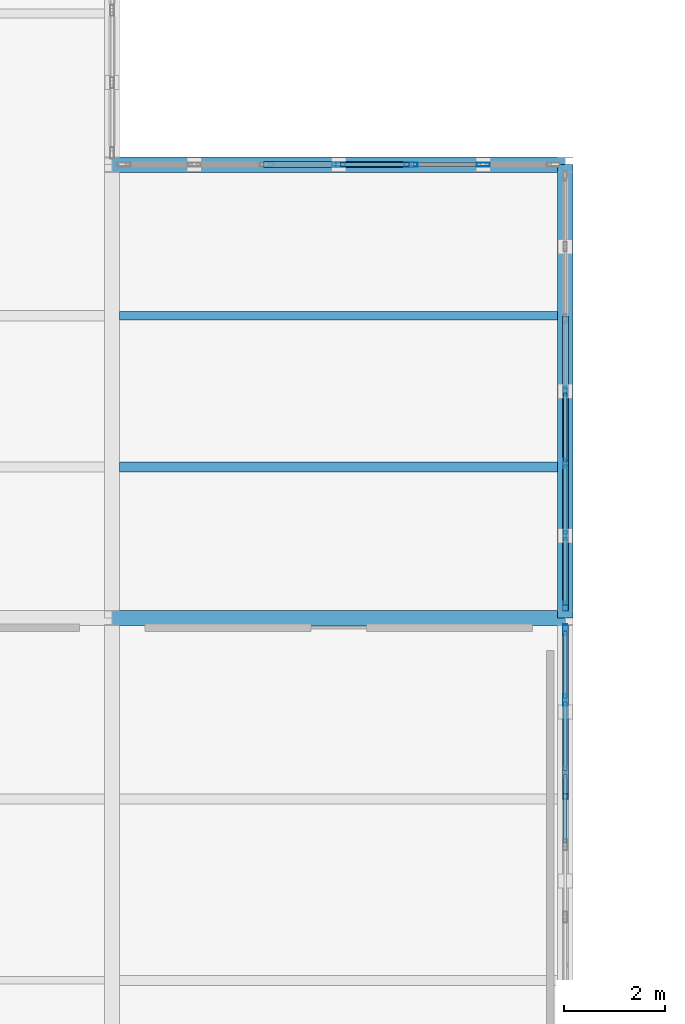
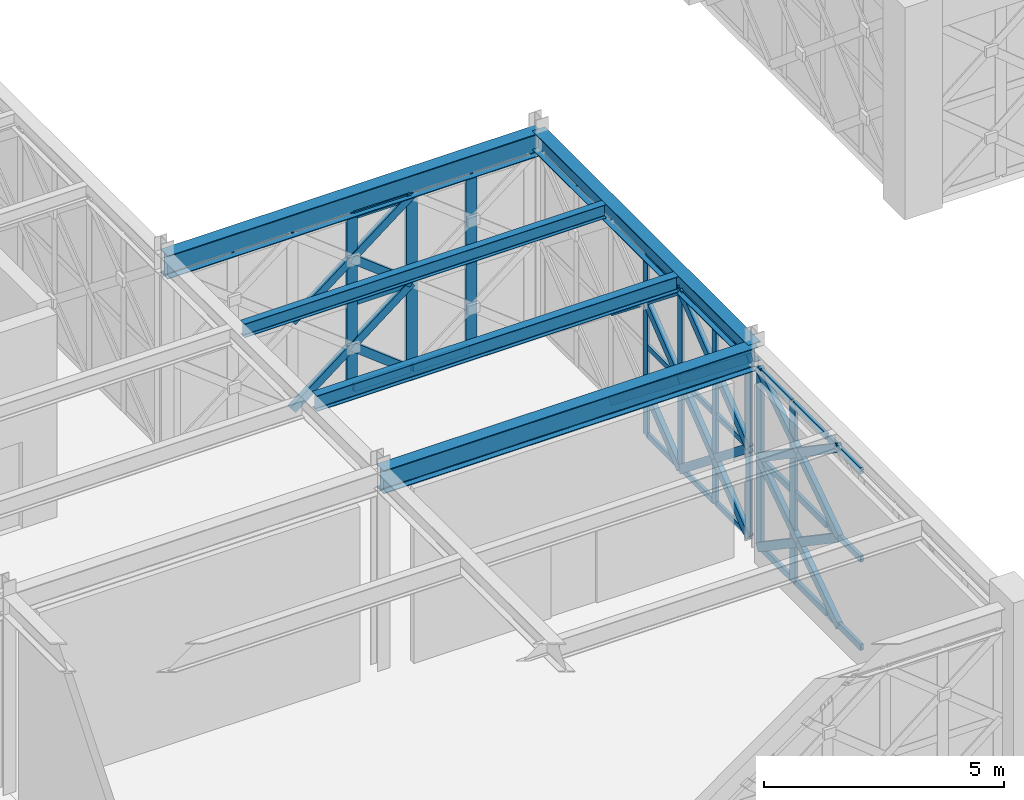
# One storey, part 47 of 155: 51 members, 5 beams, 3 elements without a shape of their own.
"""IFC4 building model written with IfcOpenShell, lengths in metres."""

from ifc_helpers import new_model, si_unit, direction, frame, origin, origin_2d, place, context, subcontext, project, spatial, hollow_rectangle, i_section, extrude, material, material_profile, profile_set, type_object, element, aggregate, save


model = new_model("IFC4")

# Units and contexts
model_context = context("Model", 3, precision=1e-05, world=origin(), true_north=direction((0.0, 1.0)))
body_context = subcontext(model_context, "Body", "Model", "MODEL_VIEW")
ifc_project = project(units=[si_unit("LENGTHUNIT", "METRE"), si_unit("AREAUNIT", "SQUARE_METRE"), si_unit("VOLUMEUNIT", "CUBIC_METRE"), si_unit("PLANEANGLEUNIT", "RADIAN"), si_unit("MASSUNIT", "GRAM", prefix="KILO")], contexts=[model_context])

# Site, building, storey
site_placement = place(None, origin())
site = spatial("IfcSite", under=ifc_project, at=site_placement, CompositionType="ELEMENT")
building_placement = place(site_placement, origin())
building = spatial("IfcBuilding", under=site, at=building_placement, Name="Haizhuo Lancet Aquarium", CompositionType="ELEMENT")
storey_placement = place(building_placement, frame((0.0, 0.0, 10.800048828125)))
storey = spatial("IfcBuildingStorey", under=building, at=storey_placement, Name="L02", CompositionType="ELEMENT", Elevation=10.800048828125)

# Beams
ifc_material_1 = material(Name="Steel S355", Category="steel")
ifc_material_profile_1 = material_profile(ifc_material_1, i_section(OverallWidth=0.300048828125, OverallDepth=0.488037109375, WebThickness=0.010986328125, FlangeThickness=0.01806640625, FilletRadius=0.02392578125, at=origin_2d()), Name="HM 488x300x11x18")
ifc_profile_set_1 = profile_set([ifc_material_profile_1], Name="Steel S355")
beam_type_1 = type_object("IfcBeamType", Name="BM-ST-HM488", PredefinedType="BEAM", material=ifc_profile_set_1)
beam_1_placement = place(storey_placement, frame((18.0, -45.0, 4.805908203125), z_axis=(0.0, 1.0, 0.0), x_axis=(-1.0, 0.0, 0.0)))
element("IfcBeam", 1, at=beam_1_placement, inside=storey, type_object=beam_type_1, Name="L02 V4 primary girder BM-L02-V4-027", PredefinedType="BEAM", context=body_context, shape_type="SweptSolid", body=[
    extrude(i_section(OverallWidth=0.300048828125, OverallDepth=0.488037109375, WebThickness=0.010986328125, FlangeThickness=0.01806640625, FilletRadius=0.02392578125, at=origin_2d()), origin(), (0.0, 0.0, 1.0), 9.0),
])
ifc_material_profile_2 = material_profile(ifc_material_1, i_section(OverallWidth=0.300048828125, OverallDepth=0.587890625, WebThickness=0.011962890625, FlangeThickness=0.02001953125, FilletRadius=0.02587890625, at=origin_2d()), Name="HM 588x300x12x20")
ifc_profile_set_2 = profile_set([ifc_material_profile_2], Name="Steel S355")
beam_type_2 = type_object("IfcBeamType", Name="BM-ST-HM588", PredefinedType="BEAM", material=ifc_profile_set_2)
for number, where, z_axis, x_axis, name in (
    (2, (9.0, -45.0, 4.755859375), (1.0, 0.0, 0.0), (0.0, 1.0, 0.0), "L02 V4 primary girder BM-L02-V4-023"),
    (3, (9.0, -36.0, 4.755859375), (1.0, 0.0, 0.0), (0.0, 1.0, 0.0), "L02 V4 primary girder BM-L02-V4-025"),
):
    element("IfcBeam", number, at=place(storey_placement, frame(where, z_axis=z_axis, x_axis=x_axis)), inside=storey, type_object=beam_type_2, Name=name, PredefinedType="BEAM", context=body_context, shape_type="SweptSolid", body=[
        extrude(i_section(OverallWidth=0.300048828125, OverallDepth=0.587890625, WebThickness=0.011962890625, FlangeThickness=0.02001953125, FilletRadius=0.02587890625, at=origin_2d()), origin(), (0.0, 0.0, 1.0), 9.0),
    ])

# Curtain wall, members
ifc_material_2 = material(Name="Aluminium 6063-T6", Category="aluminium")
curtain_wall_type_1 = type_object("IfcCurtainWallType", Name="CWO-8610x4560", PredefinedType="NOTDEFINED", material=ifc_material_2)
curtain_wall_1_placement = place(storey_placement, origin())
curtain_wall_1 = element("IfcCurtainWall", 4, at=curtain_wall_1_placement, inside=storey, type_object=curtain_wall_type_1, Name="L02 curtain wall CW-V4-L02-106", PredefinedType="NOTDEFINED")
ifc_material_profile_3 = material_profile(ifc_material_2, hollow_rectangle(XDim=0.06494140625, YDim=0.179931640625, WallThickness=0.00390625, at=origin_2d()), Name="ALU-M 65x180x4")
ifc_profile_set_3 = profile_set([ifc_material_profile_3], Name="Aluminium 6063-T6")
member_type_1 = type_object("IfcMemberType", Name="CW-MUL-1", PredefinedType="MULLION", material=ifc_profile_set_3)
member_1_placement = place(storey_placement, frame((18.0, -40.5, 0.0), z_axis=(0.0, 0.0, 1.0), x_axis=(1.0, 0.0, 0.0)))
member_1 = element("IfcMember", 5, at=member_1_placement, type_object=member_type_1, Name="CWO-86x45 mullion 4", PredefinedType="MULLION", context=body_context, shape_type="SweptSolid", body=[
    extrude(hollow_rectangle(XDim=0.06494140625, YDim=0.179931640625, WallThickness=0.00390625, at=origin_2d()), origin(), (0.0, 0.0, 1.0), 4.56201171875),
])
member_2_placement = place(storey_placement, frame((18.0, -41.93505859375, 0.0), z_axis=(0.0, 0.0, 1.0), x_axis=(1.0, 0.0, 0.0)))
member_2 = element("IfcMember", 6, at=member_2_placement, type_object=member_type_1, Name="CWO-86x45 mullion 5", PredefinedType="MULLION", context=body_context, shape_type="SweptSolid", body=[
    extrude(hollow_rectangle(XDim=0.06494140625, YDim=0.179931640625, WallThickness=0.00390625, at=origin_2d()), origin(), (0.0, 0.0, 1.0), 4.56201171875),
])
member_3_placement = place(storey_placement, frame((18.0, -43.3701171875, 0.0), z_axis=(0.0, 0.0, 1.0), x_axis=(1.0, 0.0, 0.0)))
member_3 = element("IfcMember", 7, at=member_3_placement, type_object=member_type_1, Name="CWO-86x45 mullion 6", PredefinedType="MULLION", context=body_context, shape_type="SweptSolid", body=[
    extrude(hollow_rectangle(XDim=0.06494140625, YDim=0.179931640625, WallThickness=0.00390625, at=origin_2d()), origin(), (0.0, 0.0, 1.0), 4.56201171875),
])
member_4_placement = place(storey_placement, frame((18.0, -44.77294921875, 0.0), z_axis=(0.0, 0.0, 1.0), x_axis=(1.0, 0.0, 0.0)))
member_4 = element("IfcMember", 8, at=member_4_placement, type_object=member_type_1, Name="CWO-86x45 mullion 7", PredefinedType="MULLION", context=body_context, shape_type="SweptSolid", body=[
    extrude(hollow_rectangle(XDim=0.06494140625, YDim=0.179931640625, WallThickness=0.00390625, at=origin_2d()), origin(), (0.0, 0.0, 1.0), 4.56201171875),
])

curtain_wall_type_2 = type_object("IfcCurtainWallType", Name="CWO-10060x4560", PredefinedType="NOTDEFINED", material=ifc_material_2)
curtain_wall_2_placement = place(storey_placement, origin())
curtain_wall_2 = element("IfcCurtainWall", 9, at=curtain_wall_2_placement, inside=storey, type_object=curtain_wall_type_2, Name="L02 curtain wall CW-V4-L02-107", PredefinedType="NOTDEFINED")
ifc_material_profile_4 = material_profile(ifc_material_2, hollow_rectangle(XDim=0.074951171875, YDim=0.219970703125, WallThickness=0.0048828125, at=origin_2d()), Name="ALU-M 75x220x5")
ifc_profile_set_4 = profile_set([ifc_material_profile_4], Name="Aluminium 6063-T6")
member_type_2 = type_object("IfcMemberType", Name="CW-MUL-2", PredefinedType="MULLION", material=ifc_profile_set_4)
member_5_placement = place(storey_placement, frame((18.0, -45.23291015625, 0.0), z_axis=(0.0, 0.0, 1.0), x_axis=(1.0, 0.0, 0.0)))
member_5 = element("IfcMember", 10, at=member_5_placement, type_object=member_type_2, Name="CWO-100x45 mullion 1", PredefinedType="MULLION", context=body_context, shape_type="SweptSolid", body=[
    extrude(hollow_rectangle(XDim=0.074951171875, YDim=0.219970703125, WallThickness=0.0048828125, at=origin_2d()), origin(), (0.0, 0.0, 1.0), 4.56201171875),
])
member_6_placement = place(storey_placement, frame((18.0, -46.632080078125, 0.0), z_axis=(0.0, 0.0, 1.0), x_axis=(1.0, 0.0, 0.0)))
member_6 = element("IfcMember", 11, at=member_6_placement, type_object=member_type_2, Name="CWO-100x45 mullion 2", PredefinedType="MULLION", context=body_context, shape_type="SweptSolid", body=[
    extrude(hollow_rectangle(XDim=0.074951171875, YDim=0.219970703125, WallThickness=0.0048828125, at=origin_2d()), origin(), (0.0, 0.0, 1.0), 4.56201171875),
])

curtain_wall_type_3 = type_object("IfcCurtainWallType", Name="CWO-8610x4460", PredefinedType="NOTDEFINED", material=ifc_material_2)
curtain_wall_3_placement = place(storey_placement, origin())
curtain_wall_3 = element("IfcCurtainWall", 12, at=curtain_wall_3_placement, inside=storey, type_object=curtain_wall_type_3, Name="L02 curtain wall CW-V4-L02-105", PredefinedType="NOTDEFINED")
ifc_material_profile_5 = material_profile(ifc_material_2, hollow_rectangle(XDim=0.080078125, YDim=0.260009765625, WallThickness=0.0048828125, at=origin_2d()), Name="ALU-M 80x260x5")
ifc_profile_set_5 = profile_set([ifc_material_profile_5], Name="Aluminium 6063-T6")
member_type_3 = type_object("IfcMemberType", Name="CW-MUL-3", PredefinedType="MULLION", material=ifc_profile_set_5)
member_7_placement = place(storey_placement, frame((13.5, -36.0, 0.0), z_axis=(0.0, 0.0, 1.0), x_axis=(0.0, 1.0, 0.0)))
member_7 = element("IfcMember", 13, at=member_7_placement, type_object=member_type_3, Name="CWO-86x44 mullion 4", PredefinedType="MULLION", context=body_context, shape_type="SweptSolid", body=[
    extrude(hollow_rectangle(XDim=0.080078125, YDim=0.260009765625, WallThickness=0.0048828125, at=origin_2d()), origin(), (0.0, 0.0, 1.0), 4.4619140625),
])
member_8_placement = place(storey_placement, frame((14.93505859375, -36.0, 0.0), z_axis=(0.0, 0.0, 1.0), x_axis=(0.0, 1.0, 0.0)))
member_8 = element("IfcMember", 14, at=member_8_placement, type_object=member_type_3, Name="CWO-86x44 mullion 5", PredefinedType="MULLION", context=body_context, shape_type="SweptSolid", body=[
    extrude(hollow_rectangle(XDim=0.080078125, YDim=0.260009765625, WallThickness=0.0048828125, at=origin_2d()), origin(), (0.0, 0.0, 1.0), 4.4619140625),
])
member_9_placement = place(storey_placement, frame((16.3701171875, -36.0, 0.0), z_axis=(0.0, 0.0, 1.0), x_axis=(0.0, 1.0, 0.0)))
member_9 = element("IfcMember", 15, at=member_9_placement, type_object=member_type_3, Name="CWO-86x44 mullion 6", PredefinedType="MULLION", context=body_context, shape_type="SweptSolid", body=[
    extrude(hollow_rectangle(XDim=0.080078125, YDim=0.260009765625, WallThickness=0.0048828125, at=origin_2d()), origin(), (0.0, 0.0, 1.0), 4.4619140625),
])

# Member
ifc_material_profile_6 = material_profile(ifc_material_2, hollow_rectangle(XDim=0.06494140625, YDim=0.139892578125, WallThickness=0.00390625, at=origin_2d()), Name="ALU-T 65x140x4")
ifc_profile_set_6 = profile_set([ifc_material_profile_6], Name="Aluminium 6063-T6")
member_type_4 = type_object("IfcMemberType", Name="CW-TRN-1", PredefinedType="NOTDEFINED", material=ifc_profile_set_6)
member_10_placement = place(storey_placement, frame((18.0, -40.531982421875, 0.032958984375), z_axis=(0.0, -1.0, 0.0), x_axis=(1.0, 0.0, 0.0)))
member_10 = element("IfcMember", 16, at=member_10_placement, type_object=member_type_4, Name="CWO-86x45 transom 4.1", ObjectType="TRANSOM", PredefinedType="USERDEFINED", context=body_context, shape_type="SweptSolid", body=[
    extrude(hollow_rectangle(XDim=0.06494140625, YDim=0.139892578125, WallThickness=0.00390625, at=origin_2d()), origin(), (0.0, 0.0, 1.0), 1.37109375),
])

member_11_placement = place(storey_placement, frame((18.0, -40.531982421875, 2.281005859375), z_axis=(0.0, -1.0, 0.0), x_axis=(1.0, 0.0, 0.0)))
member_11 = element("IfcMember", 17, at=member_11_placement, type_object=member_type_4, Name="CWO-86x45 transom 4.2", ObjectType="TRANSOM", PredefinedType="USERDEFINED", context=body_context, shape_type="SweptSolid", body=[
    extrude(hollow_rectangle(XDim=0.06494140625, YDim=0.139892578125, WallThickness=0.00390625, at=origin_2d()), origin(), (0.0, 0.0, 1.0), 1.37109375),
])

member_12_placement = place(storey_placement, frame((18.0, -40.531982421875, 4.529052734375), z_axis=(0.0, -1.0, 0.0), x_axis=(1.0, 0.0, 0.0)))
member_12 = element("IfcMember", 18, at=member_12_placement, type_object=member_type_4, Name="CWO-86x45 transom 4.3", ObjectType="TRANSOM", PredefinedType="USERDEFINED", context=body_context, shape_type="SweptSolid", body=[
    extrude(hollow_rectangle(XDim=0.06494140625, YDim=0.139892578125, WallThickness=0.00390625, at=origin_2d()), origin(), (0.0, 0.0, 1.0), 1.37109375),
])

member_13_placement = place(storey_placement, frame((18.0, -41.968017578125, 0.032958984375), z_axis=(0.0, -1.0, 0.0), x_axis=(1.0, 0.0, 0.0)))
member_13 = element("IfcMember", 19, at=member_13_placement, type_object=member_type_4, Name="CWO-86x45 transom 5.1", ObjectType="TRANSOM", PredefinedType="USERDEFINED", context=body_context, shape_type="SweptSolid", body=[
    extrude(hollow_rectangle(XDim=0.06494140625, YDim=0.139892578125, WallThickness=0.00390625, at=origin_2d()), origin(), (0.0, 0.0, 1.0), 1.368896484375),
])

member_14_placement = place(storey_placement, frame((18.0, -41.968017578125, 2.281005859375), z_axis=(0.0, -1.0, 0.0), x_axis=(1.0, 0.0, 0.0)))
member_14 = element("IfcMember", 20, at=member_14_placement, type_object=member_type_4, Name="CWO-86x45 transom 5.2", ObjectType="TRANSOM", PredefinedType="USERDEFINED", context=body_context, shape_type="SweptSolid", body=[
    extrude(hollow_rectangle(XDim=0.06494140625, YDim=0.139892578125, WallThickness=0.00390625, at=origin_2d()), origin(), (0.0, 0.0, 1.0), 1.368896484375),
])

member_15_placement = place(storey_placement, frame((18.0, -41.968017578125, 4.529052734375), z_axis=(0.0, -1.0, 0.0), x_axis=(1.0, 0.0, 0.0)))
member_15 = element("IfcMember", 21, at=member_15_placement, type_object=member_type_4, Name="CWO-86x45 transom 5.3", ObjectType="TRANSOM", PredefinedType="USERDEFINED", context=body_context, shape_type="SweptSolid", body=[
    extrude(hollow_rectangle(XDim=0.06494140625, YDim=0.139892578125, WallThickness=0.00390625, at=origin_2d()), origin(), (0.0, 0.0, 1.0), 1.368896484375),
])

member_16_placement = place(storey_placement, frame((18.0, -43.402099609375, 0.032958984375), z_axis=(0.0, -1.0, 0.0), x_axis=(1.0, 0.0, 0.0)))
member_16 = element("IfcMember", 22, at=member_16_placement, type_object=member_type_4, Name="CWO-86x45 transom 6.1", ObjectType="TRANSOM", PredefinedType="USERDEFINED", context=body_context, shape_type="SweptSolid", body=[
    extrude(hollow_rectangle(XDim=0.06494140625, YDim=0.139892578125, WallThickness=0.00390625, at=origin_2d()), origin(), (0.0, 0.0, 1.0), 1.337890625),
])

member_17_placement = place(storey_placement, frame((18.0, -43.402099609375, 2.281005859375), z_axis=(0.0, -1.0, 0.0), x_axis=(1.0, 0.0, 0.0)))
member_17 = element("IfcMember", 23, at=member_17_placement, type_object=member_type_4, Name="CWO-86x45 transom 6.2", ObjectType="TRANSOM", PredefinedType="USERDEFINED", context=body_context, shape_type="SweptSolid", body=[
    extrude(hollow_rectangle(XDim=0.06494140625, YDim=0.139892578125, WallThickness=0.00390625, at=origin_2d()), origin(), (0.0, 0.0, 1.0), 1.337890625),
])

member_18_placement = place(storey_placement, frame((18.0, -43.402099609375, 4.529052734375), z_axis=(0.0, -1.0, 0.0), x_axis=(1.0, 0.0, 0.0)))
member_18 = element("IfcMember", 24, at=member_18_placement, type_object=member_type_4, Name="CWO-86x45 transom 6.3", ObjectType="TRANSOM", PredefinedType="USERDEFINED", context=body_context, shape_type="SweptSolid", body=[
    extrude(hollow_rectangle(XDim=0.06494140625, YDim=0.139892578125, WallThickness=0.00390625, at=origin_2d()), origin(), (0.0, 0.0, 1.0), 1.337890625),
])

aggregate(curtain_wall_1, [member_1, member_2, member_3, member_4, member_10, member_11, member_12, member_13, member_14, member_15, member_16, member_17, member_18])

ifc_material_profile_7 = material_profile(ifc_material_2, hollow_rectangle(XDim=0.074951171875, YDim=0.159912109375, WallThickness=0.00390625, at=origin_2d()), Name="ALU-T 75x160x4")
ifc_profile_set_7 = profile_set([ifc_material_profile_7], Name="Aluminium 6063-T6")
member_type_5 = type_object("IfcMemberType", Name="CW-TRN-2", PredefinedType="NOTDEFINED", material=ifc_profile_set_7)
member_19_placement = place(storey_placement, frame((18.0, -45.27001953125, 0.037841796875), z_axis=(0.0, -1.0, 0.0), x_axis=(1.0, 0.0, 0.0)))
member_19 = element("IfcMember", 25, at=member_19_placement, type_object=member_type_5, Name="CWO-100x45 transom 1.1", ObjectType="TRANSOM", PredefinedType="USERDEFINED", context=body_context, shape_type="SweptSolid", body=[
    extrude(hollow_rectangle(XDim=0.074951171875, YDim=0.159912109375, WallThickness=0.00390625, at=origin_2d()), origin(), (0.0, 0.0, 1.0), 1.324951171875),
])

member_20_placement = place(storey_placement, frame((18.0, -45.27001953125, 2.281005859375), z_axis=(0.0, -1.0, 0.0), x_axis=(1.0, 0.0, 0.0)))
member_20 = element("IfcMember", 26, at=member_20_placement, type_object=member_type_5, Name="CWO-100x45 transom 1.2", ObjectType="TRANSOM", PredefinedType="USERDEFINED", context=body_context, shape_type="SweptSolid", body=[
    extrude(hollow_rectangle(XDim=0.074951171875, YDim=0.159912109375, WallThickness=0.00390625, at=origin_2d()), origin(), (0.0, 0.0, 1.0), 1.324951171875),
])

member_21_placement = place(storey_placement, frame((18.0, -45.27001953125, 4.52490234375), z_axis=(0.0, -1.0, 0.0), x_axis=(1.0, 0.0, 0.0)))
member_21 = element("IfcMember", 27, at=member_21_placement, type_object=member_type_5, Name="CWO-100x45 transom 1.3", ObjectType="TRANSOM", PredefinedType="USERDEFINED", context=body_context, shape_type="SweptSolid", body=[
    extrude(hollow_rectangle(XDim=0.074951171875, YDim=0.159912109375, WallThickness=0.00390625, at=origin_2d()), origin(), (0.0, 0.0, 1.0), 1.324951171875),
])

member_22_placement = place(storey_placement, frame((18.0, -46.669921875, 0.037841796875), z_axis=(0.0, -1.0, 0.0), x_axis=(1.0, 0.0, 0.0)))
member_22 = element("IfcMember", 28, at=member_22_placement, type_object=member_type_5, Name="CWO-100x45 transom 2.1", ObjectType="TRANSOM", PredefinedType="USERDEFINED", context=body_context, shape_type="SweptSolid", body=[
    extrude(hollow_rectangle(XDim=0.074951171875, YDim=0.159912109375, WallThickness=0.00390625, at=origin_2d()), origin(), (0.0, 0.0, 1.0), 1.362060546875),
])

member_23_placement = place(storey_placement, frame((18.0, -46.669921875, 2.281005859375), z_axis=(0.0, -1.0, 0.0), x_axis=(1.0, 0.0, 0.0)))
member_23 = element("IfcMember", 29, at=member_23_placement, type_object=member_type_5, Name="CWO-100x45 transom 2.2", ObjectType="TRANSOM", PredefinedType="USERDEFINED", context=body_context, shape_type="SweptSolid", body=[
    extrude(hollow_rectangle(XDim=0.074951171875, YDim=0.159912109375, WallThickness=0.00390625, at=origin_2d()), origin(), (0.0, 0.0, 1.0), 1.362060546875),
])

member_24_placement = place(storey_placement, frame((18.0, -46.669921875, 4.52490234375), z_axis=(0.0, -1.0, 0.0), x_axis=(1.0, 0.0, 0.0)))
member_24 = element("IfcMember", 30, at=member_24_placement, type_object=member_type_5, Name="CWO-100x45 transom 2.3", ObjectType="TRANSOM", PredefinedType="USERDEFINED", context=body_context, shape_type="SweptSolid", body=[
    extrude(hollow_rectangle(XDim=0.074951171875, YDim=0.159912109375, WallThickness=0.00390625, at=origin_2d()), origin(), (0.0, 0.0, 1.0), 1.362060546875),
])

member_25_placement = place(storey_placement, frame((18.0, -48.10693359375, 0.037841796875), z_axis=(0.0, -1.0, 0.0), x_axis=(1.0, 0.0, 0.0)))
member_25 = element("IfcMember", 31, at=member_25_placement, type_object=member_type_5, Name="CWO-100x45 transom 3.1", ObjectType="TRANSOM", PredefinedType="USERDEFINED", context=body_context, shape_type="SweptSolid", body=[
    extrude(hollow_rectangle(XDim=0.074951171875, YDim=0.159912109375, WallThickness=0.00390625, at=origin_2d()), origin(), (0.0, 0.0, 1.0), 1.362060546875),
])

member_26_placement = place(storey_placement, frame((18.0, -48.10693359375, 2.281005859375), z_axis=(0.0, -1.0, 0.0), x_axis=(1.0, 0.0, 0.0)))
member_26 = element("IfcMember", 32, at=member_26_placement, type_object=member_type_5, Name="CWO-100x45 transom 3.2", ObjectType="TRANSOM", PredefinedType="USERDEFINED", context=body_context, shape_type="SweptSolid", body=[
    extrude(hollow_rectangle(XDim=0.074951171875, YDim=0.159912109375, WallThickness=0.00390625, at=origin_2d()), origin(), (0.0, 0.0, 1.0), 1.362060546875),
])

member_27_placement = place(storey_placement, frame((18.0, -48.10693359375, 4.52490234375), z_axis=(0.0, -1.0, 0.0), x_axis=(1.0, 0.0, 0.0)))
member_27 = element("IfcMember", 33, at=member_27_placement, type_object=member_type_5, Name="CWO-100x45 transom 3.3", ObjectType="TRANSOM", PredefinedType="USERDEFINED", context=body_context, shape_type="SweptSolid", body=[
    extrude(hollow_rectangle(XDim=0.074951171875, YDim=0.159912109375, WallThickness=0.00390625, at=origin_2d()), origin(), (0.0, 0.0, 1.0), 1.362060546875),
])

aggregate(curtain_wall_2, [member_5, member_6, member_19, member_20, member_21, member_22, member_23, member_24, member_25, member_26, member_27])

ifc_material_profile_8 = material_profile(ifc_material_2, hollow_rectangle(XDim=0.080078125, YDim=0.18994140625, WallThickness=0.0048828125, at=origin_2d()), Name="ALU-T 80x190x5")
ifc_profile_set_8 = profile_set([ifc_material_profile_8], Name="Aluminium 6063-T6")
member_type_6 = type_object("IfcMemberType", Name="CW-TRN-3", PredefinedType="NOTDEFINED", material=ifc_profile_set_8)
member_28_placement = place(storey_placement, frame((13.5400390625, -36.0, 0.0400390625), z_axis=(1.0, 0.0, 0.0), x_axis=(0.0, 1.0, 0.0)))
member_28 = element("IfcMember", 34, at=member_28_placement, type_object=member_type_6, Name="CWO-86x44 transom 4.1", ObjectType="TRANSOM", PredefinedType="USERDEFINED", context=body_context, shape_type="SweptSolid", body=[
    extrude(hollow_rectangle(XDim=0.080078125, YDim=0.18994140625, WallThickness=0.0048828125, at=origin_2d()), origin(), (0.0, 0.0, 1.0), 1.35498046875),
])

member_29_placement = place(storey_placement, frame((13.5400390625, -36.0, 2.23095703125), z_axis=(1.0, 0.0, 0.0), x_axis=(0.0, 1.0, 0.0)))
member_29 = element("IfcMember", 35, at=member_29_placement, type_object=member_type_6, Name="CWO-86x44 transom 4.2", ObjectType="TRANSOM", PredefinedType="USERDEFINED", context=body_context, shape_type="SweptSolid", body=[
    extrude(hollow_rectangle(XDim=0.080078125, YDim=0.18994140625, WallThickness=0.0048828125, at=origin_2d()), origin(), (0.0, 0.0, 1.0), 1.35498046875),
])

member_30_placement = place(storey_placement, frame((13.5400390625, -36.0, 4.421875), z_axis=(1.0, 0.0, 0.0), x_axis=(0.0, 1.0, 0.0)))
member_30 = element("IfcMember", 36, at=member_30_placement, type_object=member_type_6, Name="CWO-86x44 transom 4.3", ObjectType="TRANSOM", PredefinedType="USERDEFINED", context=body_context, shape_type="SweptSolid", body=[
    extrude(hollow_rectangle(XDim=0.080078125, YDim=0.18994140625, WallThickness=0.0048828125, at=origin_2d()), origin(), (0.0, 0.0, 1.0), 1.35498046875),
])

member_31_placement = place(storey_placement, frame((14.97509765625, -36.0, 0.0400390625), z_axis=(1.0, 0.0, 0.0), x_axis=(0.0, 1.0, 0.0)))
member_31 = element("IfcMember", 37, at=member_31_placement, type_object=member_type_6, Name="CWO-86x44 transom 5.1", ObjectType="TRANSOM", PredefinedType="USERDEFINED", context=body_context, shape_type="SweptSolid", body=[
    extrude(hollow_rectangle(XDim=0.080078125, YDim=0.18994140625, WallThickness=0.0048828125, at=origin_2d()), origin(), (0.0, 0.0, 1.0), 1.35498046875),
])

aggregate(curtain_wall_3, [member_7, member_8, member_9, member_28, member_29, member_30, member_31])

# Beams
ifc_material_profile_9 = material_profile(ifc_material_1, i_section(OverallWidth=0.175048828125, OverallDepth=0.35009765625, WebThickness=0.007080078125, FlangeThickness=0.010986328125, FilletRadius=0.013916015625, at=origin_2d()), Name="HN 350x175x7x11")
ifc_profile_set_9 = profile_set([ifc_material_profile_9], Name="Steel S355")
beam_type_3 = type_object("IfcBeamType", Name="JST-ST-HN350", PredefinedType="JOIST", material=ifc_profile_set_9)
beam_2_placement = place(storey_placement, frame((9.14990234375, -39.0, 4.875), z_axis=(1.0, 0.0, 0.0), x_axis=(0.0, 1.0, 0.0)))
element("IfcBeam", 38, at=beam_2_placement, inside=storey, type_object=beam_type_3, Name="L02 V4 secondary floor joist 20", PredefinedType="JOIST", context=body_context, shape_type="SweptSolid", body=[
    extrude(i_section(OverallWidth=0.175048828125, OverallDepth=0.35009765625, WebThickness=0.007080078125, FlangeThickness=0.010986328125, FilletRadius=0.013916015625, at=origin_2d()), origin(), (0.0, 0.0, 1.0), 8.7001953125),
])
ifc_material_profile_10 = material_profile(ifc_material_1, i_section(OverallWidth=0.199951171875, OverallDepth=0.39990234375, WebThickness=0.008056640625, FlangeThickness=0.012939453125, FilletRadius=0.01611328125, at=origin_2d()), Name="HN 400x200x8x13")
ifc_profile_set_10 = profile_set([ifc_material_profile_10], Name="Steel S355")
beam_type_4 = type_object("IfcBeamType", Name="JST-ST-HN400", PredefinedType="JOIST", material=ifc_profile_set_10)
beam_3_placement = place(storey_placement, frame((9.14990234375, -42.0, 4.849853515625), z_axis=(1.0, 0.0, 0.0), x_axis=(0.0, 1.0, 0.0)))
element("IfcBeam", 39, at=beam_3_placement, inside=storey, type_object=beam_type_4, Name="L02 V4 secondary floor joist 19", PredefinedType="JOIST", context=body_context, shape_type="SweptSolid", body=[
    extrude(i_section(OverallWidth=0.199951171875, OverallDepth=0.39990234375, WebThickness=0.008056640625, FlangeThickness=0.012939453125, FilletRadius=0.01611328125, at=origin_2d()), origin(), (0.0, 0.0, 1.0), 8.7001953125),
])

# Members
ifc_material_profile_11 = material_profile(ifc_material_1, hollow_rectangle(XDim=0.1201171875, YDim=0.199951171875, WallThickness=0.008056640625, at=origin_2d()), Name="RHS 120x200x8")
ifc_profile_set_11 = profile_set([ifc_material_profile_11], Name="Steel S355")
member_type_7 = type_object("IfcMemberType", Name="MEM-LB-RHS120x200", PredefinedType="BRACE", material=ifc_profile_set_11)
member_32_placement = place(storey_placement, frame((12.06494140625, -36.0, 0.0), z_axis=(0.789532998536, 0.0, 0.613708109954), x_axis=(0.0, 1.0, 0.0)))
element("IfcMember", 40, at=member_32_placement, inside=storey, type_object=member_type_7, Name="Gothic lancet continuous diagonal brace CW-V4-L02-105 3A", PredefinedType="BRACE", context=body_context, shape_type="SweptSolid", body=[
    extrude(hollow_rectangle(XDim=0.1201171875, YDim=0.199951171875, WallThickness=0.008056640625, at=origin_2d()), origin(), (0.0, 0.0, 1.0), 3.63525390625),
])
member_33_placement = place(storey_placement, frame((14.93505859375, -36.0, 0.0), z_axis=(-0.789402834657, 0.0, 0.613875528618), x_axis=(0.0, -1.0, 0.0)))
element("IfcMember", 41, at=member_33_placement, inside=storey, type_object=member_type_7, Name="Gothic lancet split diagonal brace CW-V4-L02-105 3B1", PredefinedType="BRACE", context=body_context, shape_type="SweptSolid", body=[
    extrude(hollow_rectangle(XDim=0.1201171875, YDim=0.199951171875, WallThickness=0.008056640625, at=origin_2d()), origin(), (0.0, 0.0, 1.0), 1.81787109375),
])
member_34_placement = place(storey_placement, frame((12.06494140625, -36.0, 2.23095703125), z_axis=(0.789532998536, 0.0, 0.613708109954), x_axis=(0.0, 1.0, 0.0)))
element("IfcMember", 42, at=member_34_placement, inside=storey, type_object=member_type_7, Name="Gothic lancet continuous diagonal brace CW-V4-L02-105 4A", PredefinedType="BRACE", context=body_context, shape_type="SweptSolid", body=[
    extrude(hollow_rectangle(XDim=0.1201171875, YDim=0.199951171875, WallThickness=0.008056640625, at=origin_2d()), origin(), (0.0, 0.0, 1.0), 3.63525390625),
])
member_35_placement = place(storey_placement, frame((14.93505859375, -36.0, 2.23095703125), z_axis=(-0.789663169817, 0.0, 0.613540608464), x_axis=(0.0, -1.0, 0.0)))
element("IfcMember", 43, at=member_35_placement, inside=storey, type_object=member_type_7, Name="Gothic lancet split diagonal brace CW-V4-L02-105 4B1", PredefinedType="BRACE", context=body_context, shape_type="SweptSolid", body=[
    extrude(hollow_rectangle(XDim=0.1201171875, YDim=0.199951171875, WallThickness=0.008056640625, at=origin_2d()), origin(), (0.0, 0.0, 1.0), 1.8173828125),
])
member_36_placement = place(storey_placement, frame((18.0, -39.06494140625, 0.0), z_axis=(0.0, -0.782872325399, 0.622182386543), x_axis=(1.0, 0.0, 0.0)))
element("IfcMember", 44, at=member_36_placement, inside=storey, type_object=member_type_7, Name="Gothic lancet continuous diagonal brace CW-V4-L02-106 3A", PredefinedType="BRACE", context=body_context, shape_type="SweptSolid", body=[
    extrude(hollow_rectangle(XDim=0.1201171875, YDim=0.199951171875, WallThickness=0.008056640625, at=origin_2d()), origin(), (0.0, 0.0, 1.0), 3.666015625),
])
member_37_placement = place(storey_placement, frame((18.0, -41.93505859375, 0.0), z_axis=(0.0, 0.78277501707, 0.622304806868), x_axis=(-1.0, 0.0, 0.0)))
element("IfcMember", 45, at=member_37_placement, inside=storey, type_object=member_type_7, Name="Gothic lancet split diagonal brace CW-V4-L02-106 3B1", PredefinedType="BRACE", context=body_context, shape_type="SweptSolid", body=[
    extrude(hollow_rectangle(XDim=0.1201171875, YDim=0.199951171875, WallThickness=0.008056640625, at=origin_2d()), origin(), (0.0, 0.0, 1.0), 1.833251953125),
])
member_38_placement = place(storey_placement, frame((18.0, -39.06494140625, 2.281005859375), z_axis=(0.0, -0.782872325399, 0.622182386543), x_axis=(1.0, 0.0, 0.0)))
element("IfcMember", 46, at=member_38_placement, inside=storey, type_object=member_type_7, Name="Gothic lancet continuous diagonal brace CW-V4-L02-106 4A", PredefinedType="BRACE", context=body_context, shape_type="SweptSolid", body=[
    extrude(hollow_rectangle(XDim=0.1201171875, YDim=0.199951171875, WallThickness=0.008056640625, at=origin_2d()), origin(), (0.0, 0.0, 1.0), 3.666015625),
])
member_39_placement = place(storey_placement, frame((18.0, -41.93505859375, 2.281005859375), z_axis=(0.0, 0.783034517143, 0.621978251198), x_axis=(-1.0, 0.0, 0.0)))
element("IfcMember", 47, at=member_39_placement, inside=storey, type_object=member_type_7, Name="Gothic lancet split diagonal brace CW-V4-L02-106 4B1", PredefinedType="BRACE", context=body_context, shape_type="SweptSolid", body=[
    extrude(hollow_rectangle(XDim=0.1201171875, YDim=0.199951171875, WallThickness=0.008056640625, at=origin_2d()), origin(), (0.0, 0.0, 1.0), 1.832763671875),
])
member_40_placement = place(storey_placement, frame((18.0, -41.93505859375, 0.0), z_axis=(0.0, -0.78284654434, 0.622214824651), x_axis=(1.0, 0.0, 0.0)))
element("IfcMember", 48, at=member_40_placement, inside=storey, type_object=member_type_7, Name="Gothic lancet continuous diagonal brace CW-V4-L02-106 5A", PredefinedType="BRACE", context=body_context, shape_type="SweptSolid", body=[
    extrude(hollow_rectangle(XDim=0.1201171875, YDim=0.199951171875, WallThickness=0.008056640625, at=origin_2d()), origin(), (0.0, 0.0, 1.0), 3.666015625),
])
member_41_placement = place(storey_placement, frame((18.0, -44.804931640625, 0.0), z_axis=(0.0, 0.782723437039, 0.622369682029), x_axis=(-1.0, 0.0, 0.0)))
element("IfcMember", 49, at=member_41_placement, inside=storey, type_object=member_type_7, Name="Gothic lancet split diagonal brace CW-V4-L02-106 5B1", PredefinedType="BRACE", context=body_context, shape_type="SweptSolid", body=[
    extrude(hollow_rectangle(XDim=0.1201171875, YDim=0.199951171875, WallThickness=0.008056640625, at=origin_2d()), origin(), (0.0, 0.0, 1.0), 1.8330078125),
])
member_42_placement = place(storey_placement, frame((18.0, -43.3701171875, 1.140869140625), z_axis=(0.0, 0.782969638769, 0.62205992056), x_axis=(-1.0, 0.0, 0.0)))
element("IfcMember", 50, at=member_42_placement, inside=storey, type_object=member_type_7, Name="Gothic lancet split diagonal brace CW-V4-L02-106 5B2", PredefinedType="BRACE", context=body_context, shape_type="SweptSolid", body=[
    extrude(hollow_rectangle(XDim=0.1201171875, YDim=0.199951171875, WallThickness=0.008056640625, at=origin_2d()), origin(), (0.0, 0.0, 1.0), 1.832763671875),
])
member_43_placement = place(storey_placement, frame((18.0, -41.93505859375, 2.281005859375), z_axis=(0.0, -0.78284654434, 0.622214824651), x_axis=(1.0, 0.0, 0.0)))
element("IfcMember", 51, at=member_43_placement, inside=storey, type_object=member_type_7, Name="Gothic lancet continuous diagonal brace CW-V4-L02-106 6A", PredefinedType="BRACE", context=body_context, shape_type="SweptSolid", body=[
    extrude(hollow_rectangle(XDim=0.1201171875, YDim=0.199951171875, WallThickness=0.008056640625, at=origin_2d()), origin(), (0.0, 0.0, 1.0), 3.666015625),
])
member_44_placement = place(storey_placement, frame((18.0, -44.804931640625, 2.281005859375), z_axis=(0.0, 0.782982974145, 0.622043135321), x_axis=(-1.0, 0.0, 0.0)))
element("IfcMember", 52, at=member_44_placement, inside=storey, type_object=member_type_7, Name="Gothic lancet split diagonal brace CW-V4-L02-106 6B1", PredefinedType="BRACE", context=body_context, shape_type="SweptSolid", body=[
    extrude(hollow_rectangle(XDim=0.1201171875, YDim=0.199951171875, WallThickness=0.008056640625, at=origin_2d()), origin(), (0.0, 0.0, 1.0), 1.83251953125),
])
member_45_placement = place(storey_placement, frame((18.0, -43.3701171875, 3.4208984375), z_axis=(0.0, 0.782710147658, 0.622386395058), x_axis=(-1.0, 0.0, 0.0)))
element("IfcMember", 53, at=member_45_placement, inside=storey, type_object=member_type_7, Name="Gothic lancet split diagonal brace CW-V4-L02-106 6B2", PredefinedType="BRACE", context=body_context, shape_type="SweptSolid", body=[
    extrude(hollow_rectangle(XDim=0.1201171875, YDim=0.199951171875, WallThickness=0.008056640625, at=origin_2d()), origin(), (0.0, 0.0, 1.0), 1.83349609375),
])
member_46_placement = place(storey_placement, frame((18.0, -45.195068359375, 0.0), z_axis=(0.0, -0.826817872277, 0.562469737927), x_axis=(1.0, 0.0, 0.0)))
element("IfcMember", 54, at=member_46_placement, inside=storey, type_object=member_type_7, Name="Gothic lancet continuous diagonal brace CW-V4-L02-107 1A", PredefinedType="BRACE", context=body_context, shape_type="SweptSolid", body=[
    extrude(hollow_rectangle(XDim=0.1201171875, YDim=0.199951171875, WallThickness=0.008056640625, at=origin_2d()), origin(), (0.0, 0.0, 1.0), 4.055419921875),
])
member_47_placement = place(storey_placement, frame((18.0, -48.548095703125, 0.0), z_axis=(0.0, 0.826810066836, 0.562481211578), x_axis=(-1.0, 0.0, 0.0)))
element("IfcMember", 55, at=member_47_placement, inside=storey, type_object=member_type_7, Name="Gothic lancet split diagonal brace CW-V4-L02-107 1B1", PredefinedType="BRACE", context=body_context, shape_type="SweptSolid", body=[
    extrude(hollow_rectangle(XDim=0.1201171875, YDim=0.199951171875, WallThickness=0.008056640625, at=origin_2d()), origin(), (0.0, 0.0, 1.0), 2.0283203125),
])
member_48_placement = place(storey_placement, frame((18.0, -46.87109375, 1.140869140625), z_axis=(0.0, 0.826825682254, 0.562458257265), x_axis=(-1.0, 0.0, 0.0)))
element("IfcMember", 56, at=member_48_placement, inside=storey, type_object=member_type_7, Name="Gothic lancet split diagonal brace CW-V4-L02-107 1B2", PredefinedType="BRACE", context=body_context, shape_type="SweptSolid", body=[
    extrude(hollow_rectangle(XDim=0.1201171875, YDim=0.199951171875, WallThickness=0.008056640625, at=origin_2d()), origin(), (0.0, 0.0, 1.0), 2.027099609375),
])
member_49_placement = place(storey_placement, frame((18.0, -45.195068359375, 2.281005859375), z_axis=(0.0, -0.826817872277, 0.562469737927), x_axis=(1.0, 0.0, 0.0)))
element("IfcMember", 57, at=member_49_placement, inside=storey, type_object=member_type_7, Name="Gothic lancet continuous diagonal brace CW-V4-L02-107 2A", PredefinedType="BRACE", context=body_context, shape_type="SweptSolid", body=[
    extrude(hollow_rectangle(XDim=0.1201171875, YDim=0.199951171875, WallThickness=0.008056640625, at=origin_2d()), origin(), (0.0, 0.0, 1.0), 4.055419921875),
])
member_50_placement = place(storey_placement, frame((18.0, -48.548095703125, 2.281005859375), z_axis=(0.0, 0.82703397838, 0.562151935516), x_axis=(-1.0, 0.0, 0.0)))
element("IfcMember", 58, at=member_50_placement, inside=storey, type_object=member_type_7, Name="Gothic lancet split diagonal brace CW-V4-L02-107 2B1", PredefinedType="BRACE", context=body_context, shape_type="SweptSolid", body=[
    extrude(hollow_rectangle(XDim=0.1201171875, YDim=0.199951171875, WallThickness=0.008056640625, at=origin_2d()), origin(), (0.0, 0.0, 1.0), 2.02783203125),
])
member_51_placement = place(storey_placement, frame((18.0, -46.87109375, 3.4208984375), z_axis=(0.0, 0.826601631163, 0.562787476192), x_axis=(-1.0, 0.0, 0.0)))
element("IfcMember", 59, at=member_51_placement, inside=storey, type_object=member_type_7, Name="Gothic lancet split diagonal brace CW-V4-L02-107 2B2", PredefinedType="BRACE", context=body_context, shape_type="SweptSolid", body=[
    extrude(hollow_rectangle(XDim=0.1201171875, YDim=0.199951171875, WallThickness=0.008056640625, at=origin_2d()), origin(), (0.0, 0.0, 1.0), 2.027587890625),
])

save(model, "model.ifc")
